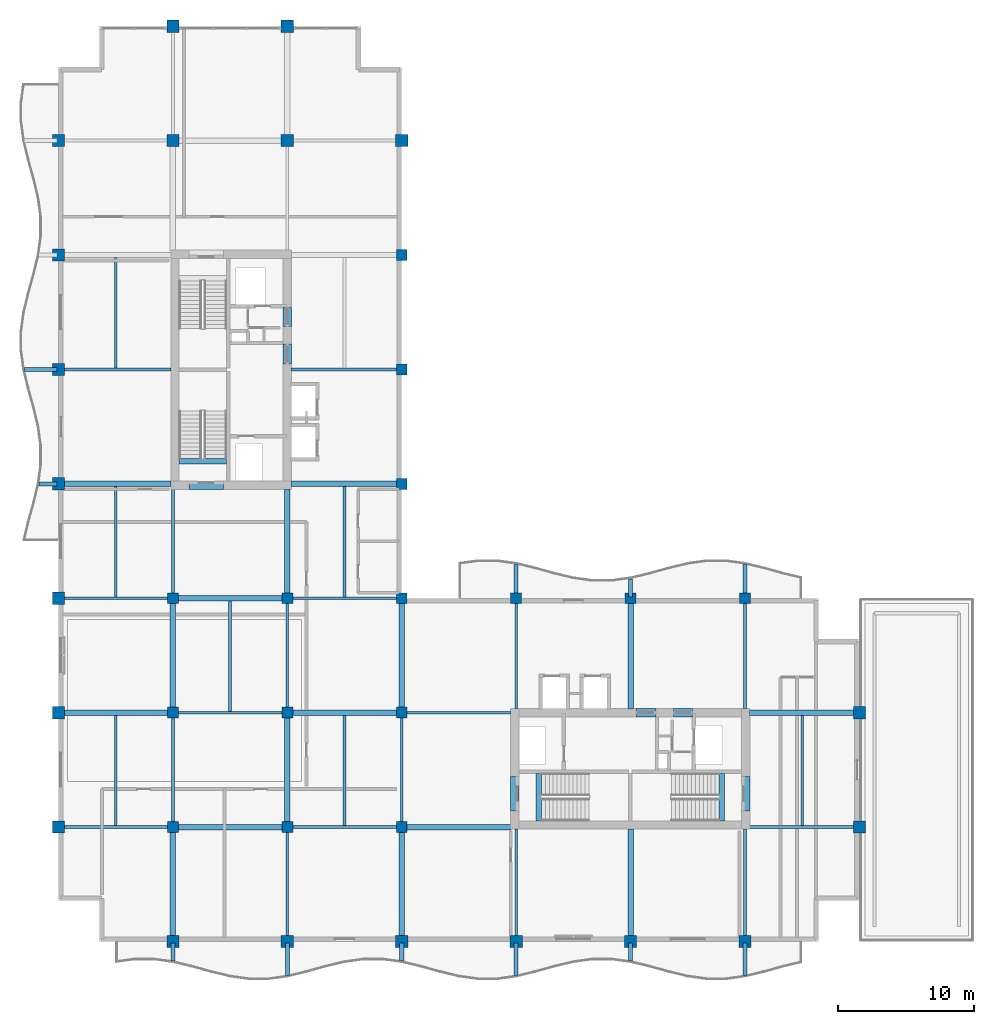
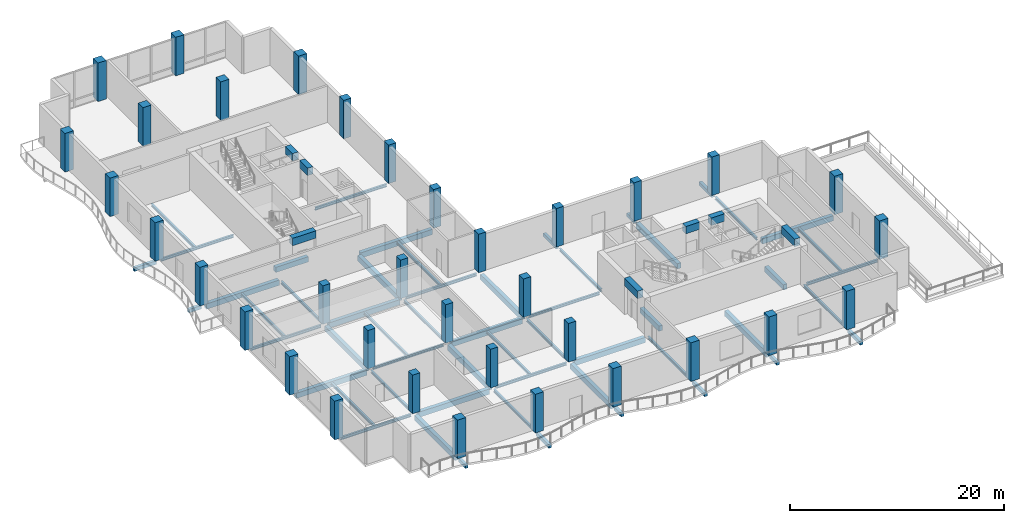
# One storey, part 1 of 16: 62 beams, 35 columns.
"""IFC4 building model written with IfcOpenShell, lengths in metres."""

from ifc_helpers import new_model, si_unit, direction, frame, origin, origin_2d, place, context, subcontext, project, spatial, rectangle, i_section, extrude, material, material_profile, profile_set, type_object, element, save


model = new_model("IFC4")

# Units and contexts
model_context = context("Model", 3, precision=1e-05, world=origin(), true_north=direction((0.0, 1.0)))
body_context = subcontext(model_context, "Body", "Model", "MODEL_VIEW")
ifc_project = project(units=[si_unit("LENGTHUNIT", "METRE"), si_unit("AREAUNIT", "SQUARE_METRE"), si_unit("VOLUMEUNIT", "CUBIC_METRE"), si_unit("PLANEANGLEUNIT", "RADIAN"), si_unit("MASSUNIT", "GRAM", prefix="KILO")], contexts=[model_context])

# Site, building, storey
site_placement = place(None, origin())
site = spatial("IfcSite", under=ifc_project, at=site_placement, CompositionType="ELEMENT")
building_placement = place(site_placement, origin())
building = spatial("IfcBuilding", under=site, at=building_placement, Name="Koriwani Terraces Tower", CompositionType="ELEMENT")
storey_placement = place(building_placement, frame((0.0, 0.0, 286.0)))
storey = spatial("IfcBuildingStorey", under=building, at=storey_placement, Name="L71", CompositionType="ELEMENT", Elevation=286.0)

# Columns
ifc_material_1 = material(Name="Concrete C50/60", Category="concrete")
ifc_material_profile_1 = material_profile(ifc_material_1, rectangle(XDim=0.800048828125, YDim=0.800048828125, at=origin_2d()), Name="Concrete C50/60", Category="LoadBearing")
ifc_profile_set_1 = profile_set([ifc_material_profile_1], Name="Concrete C50/60")
column_type_1 = type_object("IfcColumnType", Name="COL_RC_800X800", PredefinedType="COLUMN", material=ifc_profile_set_1)
for number, where, z_axis, x_axis, name in (
    (1, (16.800048828125, 16.800048828125, 0.0), (0.0, 0.0, 1.0), (1.0, 0.0, 0.0), "L71 Column 3/C"),
    (2, (16.800048828125, 25.199951171875, 0.0), (0.0, 0.0, 1.0), (1.0, 0.0, 0.0), "L71 Column 3/D"),
    (3, (16.800048828125, 33.60009765625, 0.0), (0.0, 0.0, 1.0), (1.0, 0.0, 0.0), "L71 Column 3/E"),
    (4, (25.199951171875, 16.800048828125, 0.0), (0.0, 0.0, 1.0), (1.0, 0.0, 0.0), "L71 Column 4/C"),
    (5, (25.199951171875, 25.199951171875, 0.0), (0.0, 0.0, 1.0), (1.0, 0.0, 0.0), "L71 Column 4/D"),
    (6, (25.199951171875, 33.60009765625, 0.0), (0.0, 0.0, 1.0), (1.0, 0.0, 0.0), "L71 Column 4/E"),
    (7, (33.60009765625, 16.800048828125, 0.0), (0.0, 0.0, 1.0), (1.0, 0.0, 0.0), "L71 Column 5/C"),
    (8, (33.60009765625, 25.199951171875, 0.0), (0.0, 0.0, 1.0), (1.0, 0.0, 0.0), "L71 Column 5/D"),
    (9, (33.60009765625, 33.60009765625, 0.0), (0.0, 0.0, 1.0), (1.0, 0.0, 0.0), "L71 Column 5/E"),
    (10, (33.60009765625, 42.0, 0.0), (0.0, 0.0, 1.0), (1.0, 0.0, 0.0), "L71 Column 5/F"),
    (11, (33.60009765625, 50.39990234375, 0.0), (0.0, 0.0, 1.0), (1.0, 0.0, 0.0), "L71 Column 5/G"),
    (12, (33.60009765625, 58.800048828125, 0.0), (0.0, 0.0, 1.0), (1.0, 0.0, 0.0), "L71 Column 5/H"),
    (13, (42.0, 33.60009765625, 0.0), (0.0, 0.0, 1.0), (1.0, 0.0, 0.0), "L71 Column 6/E"),
    (14, (50.39990234375, 33.60009765625, 0.0), (0.0, 0.0, 1.0), (1.0, 0.0, 0.0), "L71 Column 7/E"),
    (15, (58.800048828125, 33.60009765625, 0.0), (0.0, 0.0, 1.0), (1.0, 0.0, 0.0), "L71 Column 8/E"),
):
    element("IfcColumn", number, at=place(storey_placement, frame(where, z_axis=z_axis, x_axis=x_axis)), inside=storey, type_object=column_type_1, Name=name, PredefinedType="COLUMN", context=body_context, shape_type="SweptSolid", body=[
        extrude(rectangle(XDim=0.800048828125, YDim=0.800048828125, at=origin_2d()), origin(), (0.0, 0.0, 1.0), 4.39990234375),
    ])
ifc_material_profile_2 = material_profile(ifc_material_1, rectangle(XDim=0.89990234375, YDim=0.89990234375, at=origin_2d()), Name="Concrete C50/60", Category="LoadBearing")
ifc_profile_set_2 = profile_set([ifc_material_profile_2], Name="Concrete C50/60")
column_type_2 = type_object("IfcColumnType", Name="COL_RC_900X900", PredefinedType="COLUMN", material=ifc_profile_set_2)
for number, where, z_axis, x_axis, name in (
    (16, (8.39990234375, 16.800048828125, 0.0), (0.0, 0.0, 1.0), (1.0, 0.0, 0.0), "L71 Column 2/C"),
    (17, (8.39990234375, 25.199951171875, 0.0), (0.0, 0.0, 1.0), (1.0, 0.0, 0.0), "L71 Column 2/D"),
    (18, (8.39990234375, 33.60009765625, 0.0), (0.0, 0.0, 1.0), (1.0, 0.0, 0.0), "L71 Column 2/E"),
    (19, (8.39990234375, 42.0, 0.0), (0.0, 0.0, 1.0), (1.0, 0.0, 0.0), "L71 Column 2/F"),
    (20, (8.39990234375, 50.39990234375, 0.0), (0.0, 0.0, 1.0), (1.0, 0.0, 0.0), "L71 Column 2/G"),
    (21, (8.39990234375, 58.800048828125, 0.0), (0.0, 0.0, 1.0), (1.0, 0.0, 0.0), "L71 Column 2/H"),
    (22, (8.39990234375, 67.199951171875, 0.0), (0.0, 0.0, 1.0), (1.0, 0.0, 0.0), "L71 Column 2/I"),
    (23, (16.800048828125, 8.39990234375, 0.0), (0.0, 0.0, 1.0), (1.0, 0.0, 0.0), "L71 Column 3/B"),
    (24, (16.800048828125, 67.199951171875, 0.0), (0.0, 0.0, 1.0), (1.0, 0.0, 0.0), "L71 Column 3/I"),
    (25, (16.800048828125, 75.60009765625, 0.0), (0.0, 0.0, 1.0), (1.0, 0.0, 0.0), "L71 Column 3/J"),
    (26, (25.199951171875, 8.39990234375, 0.0), (0.0, 0.0, 1.0), (1.0, 0.0, 0.0), "L71 Column 4/B"),
    (27, (25.199951171875, 67.199951171875, 0.0), (0.0, 0.0, 1.0), (1.0, 0.0, 0.0), "L71 Column 4/I"),
    (28, (25.199951171875, 75.60009765625, 0.0), (0.0, 0.0, 1.0), (1.0, 0.0, 0.0), "L71 Column 4/J"),
    (29, (33.60009765625, 8.39990234375, 0.0), (0.0, 0.0, 1.0), (1.0, 0.0, 0.0), "L71 Column 5/B"),
    (30, (33.60009765625, 67.199951171875, 0.0), (0.0, 0.0, 1.0), (1.0, 0.0, 0.0), "L71 Column 5/I"),
    (31, (42.0, 8.39990234375, 0.0), (0.0, 0.0, 1.0), (1.0, 0.0, 0.0), "L71 Column 6/B"),
    (32, (50.39990234375, 8.39990234375, 0.0), (0.0, 0.0, 1.0), (1.0, 0.0, 0.0), "L71 Column 7/B"),
    (33, (58.800048828125, 8.39990234375, 0.0), (0.0, 0.0, 1.0), (1.0, 0.0, 0.0), "L71 Column 8/B"),
    (34, (67.199951171875, 16.800048828125, 0.0), (0.0, 0.0, 1.0), (1.0, 0.0, 0.0), "L71 Column 9/C"),
    (35, (67.199951171875, 25.199951171875, 0.0), (0.0, 0.0, 1.0), (1.0, 0.0, 0.0), "L71 Column 9/D"),
):
    element("IfcColumn", number, at=place(storey_placement, frame(where, z_axis=z_axis, x_axis=x_axis)), inside=storey, type_object=column_type_2, Name=name, PredefinedType="COLUMN", context=body_context, shape_type="SweptSolid", body=[
        extrude(rectangle(XDim=0.89990234375, YDim=0.89990234375, at=origin_2d()), origin(), (0.0, 0.0, 1.0), 4.39990234375),
    ])

# Beams
ifc_material_2 = material(Name="Concrete C40/50", Category="concrete")
ifc_material_profile_3 = material_profile(ifc_material_2, rectangle(XDim=0.300048828125, YDim=0.39990234375, at=origin_2d()), Name="Concrete C40/50", Category="LoadBearing")
ifc_profile_set_3 = profile_set([ifc_material_profile_3], Name="Concrete C40/50")
beam_type_1 = type_object("IfcBeamType", Name="BEAM_RC_BALCONY_RIB_300X400", PredefinedType="JOIST", material=ifc_profile_set_3)
beam_1_placement = place(storey_placement, frame((16.800048828125, 6.980224609375, -0.429931640625), z_axis=(0.0, 1.0, 0.0), x_axis=(-1.0, 0.0, 0.0)))
element("IfcBeam", 36, at=beam_1_placement, inside=storey, type_object=beam_type_1, Name="L71 Balcony Bracket Rib S-1", PredefinedType="JOIST", context=body_context, shape_type="SweptSolid", body=[
    extrude(rectangle(XDim=0.300048828125, YDim=0.39990234375, at=origin_2d()), origin(), (0.0, 0.0, 1.0), 1.31982421875),
])
beam_2_placement = place(storey_placement, frame((25.199951171875, 5.919677734375, -0.429931640625), z_axis=(0.0, 1.0, 0.0), x_axis=(-1.0, 0.0, 0.0)))
element("IfcBeam", 37, at=beam_2_placement, inside=storey, type_object=beam_type_1, Name="L71 Balcony Bracket Rib S-2", PredefinedType="JOIST", context=body_context, shape_type="SweptSolid", body=[
    extrude(rectangle(XDim=0.300048828125, YDim=0.39990234375, at=origin_2d()), origin(), (0.0, 0.0, 1.0), 2.38037109375),
])
beam_3_placement = place(storey_placement, frame((33.60009765625, 6.980224609375, -0.429931640625), z_axis=(0.0, 1.0, 0.0), x_axis=(-1.0, 0.0, 0.0)))
element("IfcBeam", 38, at=beam_3_placement, inside=storey, type_object=beam_type_1, Name="L71 Balcony Bracket Rib S-3", PredefinedType="JOIST", context=body_context, shape_type="SweptSolid", body=[
    extrude(rectangle(XDim=0.300048828125, YDim=0.39990234375, at=origin_2d()), origin(), (0.0, 0.0, 1.0), 1.31982421875),
])
beam_4_placement = place(storey_placement, frame((42.0, 5.919677734375, -0.429931640625), z_axis=(0.0, 1.0, 0.0), x_axis=(-1.0, 0.0, 0.0)))
element("IfcBeam", 39, at=beam_4_placement, inside=storey, type_object=beam_type_1, Name="L71 Balcony Bracket Rib S-4", PredefinedType="JOIST", context=body_context, shape_type="SweptSolid", body=[
    extrude(rectangle(XDim=0.300048828125, YDim=0.39990234375, at=origin_2d()), origin(), (0.0, 0.0, 1.0), 2.38037109375),
])
beam_5_placement = place(storey_placement, frame((50.39990234375, 6.980224609375, -0.429931640625), z_axis=(0.0, 1.0, 0.0), x_axis=(-1.0, 0.0, 0.0)))
element("IfcBeam", 40, at=beam_5_placement, inside=storey, type_object=beam_type_1, Name="L71 Balcony Bracket Rib S-5", PredefinedType="JOIST", context=body_context, shape_type="SweptSolid", body=[
    extrude(rectangle(XDim=0.300048828125, YDim=0.39990234375, at=origin_2d()), origin(), (0.0, 0.0, 1.0), 1.31982421875),
])
beam_6_placement = place(storey_placement, frame((58.800048828125, 5.919677734375, -0.429931640625), z_axis=(0.0, 1.0, 0.0), x_axis=(-1.0, 0.0, 0.0)))
element("IfcBeam", 41, at=beam_6_placement, inside=storey, type_object=beam_type_1, Name="L71 Balcony Bracket Rib S-6", PredefinedType="JOIST", context=body_context, shape_type="SweptSolid", body=[
    extrude(rectangle(XDim=0.300048828125, YDim=0.39990234375, at=origin_2d()), origin(), (0.0, 0.0, 1.0), 2.38037109375),
])
beam_7_placement = place(storey_placement, frame((6.980224609375, 42.0, -0.429931640625), z_axis=(1.0, 0.0, 0.0), x_axis=(0.0, 1.0, 0.0)))
element("IfcBeam", 42, at=beam_7_placement, inside=storey, type_object=beam_type_1, Name="L71 Balcony Bracket Rib W-1", PredefinedType="JOIST", context=body_context, shape_type="SweptSolid", body=[
    extrude(rectangle(XDim=0.300048828125, YDim=0.39990234375, at=origin_2d()), origin(), (0.0, 0.0, 1.0), 1.31982421875),
])
for number, where, z_axis, x_axis, name in (
    (43, (5.919677734375, 50.39990234375, -0.429931640625), (1.0, 0.0, 0.0), (0.0, 1.0, 0.0), "L71 Balcony Bracket Rib W-2"),
    (44, (42.0, 33.699951171875, -0.429931640625), (0.0, 1.0, 0.0), (-1.0, 0.0, 0.0), "L71 Balcony Bracket Rib NE-1"),
):
    element("IfcBeam", number, at=place(storey_placement, frame(where, z_axis=z_axis, x_axis=x_axis)), inside=storey, type_object=beam_type_1, Name=name, PredefinedType="JOIST", context=body_context, shape_type="SweptSolid", body=[
        extrude(rectangle(XDim=0.300048828125, YDim=0.39990234375, at=origin_2d()), origin(), (0.0, 0.0, 1.0), 2.38037109375),
    ])
beam_8_placement = place(storey_placement, frame((50.39990234375, 33.699951171875, -0.429931640625), z_axis=(0.0, 1.0, 0.0), x_axis=(-1.0, 0.0, 0.0)))
element("IfcBeam", 45, at=beam_8_placement, inside=storey, type_object=beam_type_1, Name="L71 Balcony Bracket Rib NE-2", PredefinedType="JOIST", context=body_context, shape_type="SweptSolid", body=[
    extrude(rectangle(XDim=0.300048828125, YDim=0.39990234375, at=origin_2d()), origin(), (0.0, 0.0, 1.0), 1.31982421875),
])
beam_9_placement = place(storey_placement, frame((58.800048828125, 33.699951171875, -0.429931640625), z_axis=(0.0, 1.0, 0.0), x_axis=(-1.0, 0.0, 0.0)))
element("IfcBeam", 46, at=beam_9_placement, inside=storey, type_object=beam_type_1, Name="L71 Balcony Bracket Rib NE-3", PredefinedType="JOIST", context=body_context, shape_type="SweptSolid", body=[
    extrude(rectangle(XDim=0.300048828125, YDim=0.39990234375, at=origin_2d()), origin(), (0.0, 0.0, 1.0), 2.38037109375),
])
ifc_material_profile_4 = material_profile(ifc_material_1, rectangle(XDim=0.60009765625, YDim=0.85009765625, at=origin_2d()), Name="Concrete C50/60", Category="LoadBearing")
ifc_profile_set_4 = profile_set([ifc_material_profile_4], Name="Concrete C50/60")
beam_type_2 = type_object("IfcBeamType", Name="BEAM_RC_COUPLING_600X850", PredefinedType="LINTEL", material=ifc_profile_set_4)
beam_10_placement = place(storey_placement, frame((25.199951171875, 50.800048828125, 3.7451171875), z_axis=(0.0, 1.0, 0.0), x_axis=(-1.0, 0.0, 0.0)))
element("IfcBeam", 47, at=beam_10_placement, inside=storey, type_object=beam_type_2, Name="L71 Core Coupling Lintel Beam WE1", PredefinedType="LINTEL", context=body_context, shape_type="SweptSolid", body=[
    extrude(rectangle(XDim=0.60009765625, YDim=0.85009765625, at=origin_2d()), origin(), (0.0, 0.0, 1.0), 1.47998046875),
])
beam_11_placement = place(storey_placement, frame((25.199951171875, 53.550048828125, 3.7451171875), z_axis=(0.0, 1.0, 0.0), x_axis=(-1.0, 0.0, 0.0)))
element("IfcBeam", 48, at=beam_11_placement, inside=storey, type_object=beam_type_2, Name="L71 Core Coupling Lintel Beam WE2", PredefinedType="LINTEL", context=body_context, shape_type="SweptSolid", body=[
    extrude(rectangle(XDim=0.60009765625, YDim=0.85009765625, at=origin_2d()), origin(), (0.0, 0.0, 1.0), 1.39990234375),
])
beam_12_placement = place(storey_placement, frame((18.0, 41.89990234375, 3.7451171875), z_axis=(1.0, 0.0, 0.0), x_axis=(0.0, 1.0, 0.0)))
element("IfcBeam", 49, at=beam_12_placement, inside=storey, type_object=beam_type_2, Name="L71 Core Coupling Lintel Beam WS", PredefinedType="LINTEL", context=body_context, shape_type="SweptSolid", body=[
    extrude(rectangle(XDim=0.60009765625, YDim=0.85009765625, at=origin_2d()), origin(), (0.0, 0.0, 1.0), 2.5),
])
beam_13_placement = place(storey_placement, frame((50.800048828125, 25.199951171875, 3.7451171875), z_axis=(1.0, 0.0, 0.0), x_axis=(0.0, 1.0, 0.0)))
element("IfcBeam", 50, at=beam_13_placement, inside=storey, type_object=beam_type_2, Name="L71 Core Coupling Lintel Beam EN1", PredefinedType="LINTEL", context=body_context, shape_type="SweptSolid", body=[
    extrude(rectangle(XDim=0.60009765625, YDim=0.85009765625, at=origin_2d()), origin(), (0.0, 0.0, 1.0), 1.47998046875),
])
beam_14_placement = place(storey_placement, frame((53.550048828125, 25.199951171875, 3.7451171875), z_axis=(1.0, 0.0, 0.0), x_axis=(0.0, 1.0, 0.0)))
element("IfcBeam", 51, at=beam_14_placement, inside=storey, type_object=beam_type_2, Name="L71 Core Coupling Lintel Beam EN2", PredefinedType="LINTEL", context=body_context, shape_type="SweptSolid", body=[
    extrude(rectangle(XDim=0.60009765625, YDim=0.85009765625, at=origin_2d()), origin(), (0.0, 0.0, 1.0), 1.39990234375),
])
for number, where, z_axis, x_axis, name in (
    (52, (41.89990234375, 18.0, 3.7451171875), (0.0, 1.0, 0.0), (-1.0, 0.0, 0.0), "L71 Core Coupling Lintel Beam EW"),
    (53, (58.85009765625, 18.0, 3.7451171875), (0.0, 1.0, 0.0), (-1.0, 0.0, 0.0), "L71 Core Coupling Lintel Beam EE"),
):
    element("IfcBeam", number, at=place(storey_placement, frame(where, z_axis=z_axis, x_axis=x_axis)), inside=storey, type_object=beam_type_2, Name=name, PredefinedType="LINTEL", context=body_context, shape_type="SweptSolid", body=[
        extrude(rectangle(XDim=0.60009765625, YDim=0.85009765625, at=origin_2d()), origin(), (0.0, 0.0, 1.0), 2.5),
    ])
ifc_material_profile_5 = material_profile(ifc_material_2, rectangle(XDim=0.39990234375, YDim=0.60009765625, at=origin_2d()), Name="Concrete C40/50", Category="LoadBearing")
ifc_profile_set_5 = profile_set([ifc_material_profile_5], Name="Concrete C40/50")
beam_type_3 = type_object("IfcBeamType", Name="BEAM_RC_GRID_400X600", PredefinedType="BEAM", material=ifc_profile_set_5)
for number, where, z_axis, x_axis, name in (
    (54, (17.25, 43.655029296875, -0.300048828125), (1.0, 0.0, 0.0), (0.0, 1.0, 0.0), "L71 Stairwell Header Trimmer Beam ST-W1"),
    (55, (43.655029296875, 17.25, -0.300048828125), (0.0, 1.0, 0.0), (-1.0, 0.0, 0.0), "L71 Stairwell Header Trimmer Beam ST-E1"),
    (56, (57.094970703125, 17.25, -0.300048828125), (0.0, 1.0, 0.0), (-1.0, 0.0, 0.0), "L71 Stairwell Header Trimmer Beam ST-E2"),
):
    element("IfcBeam", number, at=place(storey_placement, frame(where, z_axis=z_axis, x_axis=x_axis)), inside=storey, type_object=beam_type_3, Name=name, PredefinedType="BEAM", context=body_context, shape_type="SweptSolid", body=[
        extrude(rectangle(XDim=0.39990234375, YDim=0.60009765625, at=origin_2d()), origin(), (0.0, 0.0, 1.0), 3.5),
    ])
for number, where, z_axis, x_axis, name in (
    (57, (17.179931640625, 16.800048828125, -0.530029296875), (1.0, 0.0, 0.0), (0.0, 1.0, 0.0), "L71 Grid Beam C (16.8-25.2m)"),
    (58, (33.97998046875, 16.800048828125, -0.530029296875), (1.0, 0.0, 0.0), (0.0, 1.0, 0.0), "L71 Grid Beam C (33.6-42.0m)"),
):
    element("IfcBeam", number, at=place(storey_placement, frame(where, z_axis=z_axis, x_axis=x_axis)), inside=storey, type_object=beam_type_3, Name=name, PredefinedType="BEAM", context=body_context, shape_type="SweptSolid", body=[
        extrude(rectangle(XDim=0.39990234375, YDim=0.60009765625, at=origin_2d()), origin(), (0.0, 0.0, 1.0), 7.64013671875),
    ])
beam_15_placement = place(storey_placement, frame((8.830078125, 25.199951171875, -0.530029296875), z_axis=(1.0, 0.0, 0.0), x_axis=(0.0, 1.0, 0.0)))
element("IfcBeam", 59, at=beam_15_placement, inside=storey, type_object=beam_type_3, Name="L71 Grid Beam D (8.4-16.8m)", PredefinedType="BEAM", context=body_context, shape_type="SweptSolid", body=[
    extrude(rectangle(XDim=0.39990234375, YDim=0.60009765625, at=origin_2d()), origin(), (0.0, 0.0, 1.0), 7.58984375),
])
beam_16_placement = place(storey_placement, frame((25.580078125, 25.199951171875, -0.530029296875), z_axis=(1.0, 0.0, 0.0), x_axis=(0.0, 1.0, 0.0)))
element("IfcBeam", 60, at=beam_16_placement, inside=storey, type_object=beam_type_3, Name="L71 Grid Beam D (25.2-33.6m)", PredefinedType="BEAM", context=body_context, shape_type="SweptSolid", body=[
    extrude(rectangle(XDim=0.39990234375, YDim=0.60009765625, at=origin_2d()), origin(), (0.0, 0.0, 1.0), 7.639892578125),
])
for number, where, z_axis, x_axis, name in (
    (61, (59.1298828125, 25.199951171875, -0.530029296875), (1.0, 0.0, 0.0), (0.0, 1.0, 0.0), "L71 Grid Beam D (58.8-67.2m)"),
    (62, (17.179931640625, 33.60009765625, -0.530029296875), (1.0, 0.0, 0.0), (0.0, 1.0, 0.0), "L71 Grid Beam E (16.8-25.2m)"),
):
    element("IfcBeam", number, at=place(storey_placement, frame(where, z_axis=z_axis, x_axis=x_axis)), inside=storey, type_object=beam_type_3, Name=name, PredefinedType="BEAM", context=body_context, shape_type="SweptSolid", body=[
        extrude(rectangle(XDim=0.39990234375, YDim=0.60009765625, at=origin_2d()), origin(), (0.0, 0.0, 1.0), 7.64013671875),
    ])
beam_17_placement = place(storey_placement, frame((8.830078125, 42.0, -0.530029296875), z_axis=(1.0, 0.0, 0.0), x_axis=(0.0, 1.0, 0.0)))
element("IfcBeam", 63, at=beam_17_placement, inside=storey, type_object=beam_type_3, Name="L71 Grid Beam F (8.4-16.8m)", PredefinedType="BEAM", context=body_context, shape_type="SweptSolid", body=[
    extrude(rectangle(XDim=0.39990234375, YDim=0.60009765625, at=origin_2d()), origin(), (0.0, 0.0, 1.0), 7.83984375),
])
beam_18_placement = place(storey_placement, frame((25.47998046875, 42.0, -0.530029296875), z_axis=(1.0, 0.0, 0.0), x_axis=(0.0, 1.0, 0.0)))
element("IfcBeam", 64, at=beam_18_placement, inside=storey, type_object=beam_type_3, Name="L71 Grid Beam F (25.2-33.6m)", PredefinedType="BEAM", context=body_context, shape_type="SweptSolid", body=[
    extrude(rectangle(XDim=0.39990234375, YDim=0.60009765625, at=origin_2d()), origin(), (0.0, 0.0, 1.0), 7.739990234375),
])
beam_19_placement = place(storey_placement, frame((16.800048828125, 8.830078125, -0.530029296875), z_axis=(0.0, 1.0, 0.0), x_axis=(-1.0, 0.0, 0.0)))
element("IfcBeam", 65, at=beam_19_placement, inside=storey, type_object=beam_type_3, Name="L71 Grid Beam 3 (8.4-16.8m)", PredefinedType="BEAM", context=body_context, shape_type="SweptSolid", body=[
    extrude(rectangle(XDim=0.39990234375, YDim=0.60009765625, at=origin_2d()), origin(), (0.0, 0.0, 1.0), 7.58984375),
])
beam_20_placement = place(storey_placement, frame((16.800048828125, 25.580078125, -0.530029296875), z_axis=(0.0, 1.0, 0.0), x_axis=(-1.0, 0.0, 0.0)))
element("IfcBeam", 66, at=beam_20_placement, inside=storey, type_object=beam_type_3, Name="L71 Grid Beam 3 (25.2-33.6m)", PredefinedType="BEAM", context=body_context, shape_type="SweptSolid", body=[
    extrude(rectangle(XDim=0.39990234375, YDim=0.60009765625, at=origin_2d()), origin(), (0.0, 0.0, 1.0), 7.639892578125),
])
for number, where, z_axis, x_axis, name in (
    (67, (25.199951171875, 17.179931640625, -0.530029296875), (0.0, 1.0, 0.0), (-1.0, 0.0, 0.0), "L71 Grid Beam 4 (16.8-25.2m)"),
    (68, (25.199951171875, 33.97998046875, -0.530029296875), (0.0, 1.0, 0.0), (-1.0, 0.0, 0.0), "L71 Grid Beam 4 (33.6-42.0m)"),
):
    element("IfcBeam", number, at=place(storey_placement, frame(where, z_axis=z_axis, x_axis=x_axis)), inside=storey, type_object=beam_type_3, Name=name, PredefinedType="BEAM", context=body_context, shape_type="SweptSolid", body=[
        extrude(rectangle(XDim=0.39990234375, YDim=0.60009765625, at=origin_2d()), origin(), (0.0, 0.0, 1.0), 7.64013671875),
    ])
beam_21_placement = place(storey_placement, frame((33.60009765625, 8.830078125, -0.530029296875), z_axis=(0.0, 1.0, 0.0), x_axis=(-1.0, 0.0, 0.0)))
element("IfcBeam", 69, at=beam_21_placement, inside=storey, type_object=beam_type_3, Name="L71 Grid Beam 5 (8.4-16.8m)", PredefinedType="BEAM", context=body_context, shape_type="SweptSolid", body=[
    extrude(rectangle(XDim=0.39990234375, YDim=0.60009765625, at=origin_2d()), origin(), (0.0, 0.0, 1.0), 7.58984375),
])
beam_22_placement = place(storey_placement, frame((33.60009765625, 25.580078125, -0.530029296875), z_axis=(0.0, 1.0, 0.0), x_axis=(-1.0, 0.0, 0.0)))
element("IfcBeam", 70, at=beam_22_placement, inside=storey, type_object=beam_type_3, Name="L71 Grid Beam 5 (25.2-33.6m)", PredefinedType="BEAM", context=body_context, shape_type="SweptSolid", body=[
    extrude(rectangle(XDim=0.39990234375, YDim=0.60009765625, at=origin_2d()), origin(), (0.0, 0.0, 1.0), 7.639892578125),
])
beam_23_placement = place(storey_placement, frame((50.39990234375, 8.830078125, -0.530029296875), z_axis=(0.0, 1.0, 0.0), x_axis=(-1.0, 0.0, 0.0)))
element("IfcBeam", 71, at=beam_23_placement, inside=storey, type_object=beam_type_3, Name="L71 Grid Beam 7 (8.4-16.8m)", PredefinedType="BEAM", context=body_context, shape_type="SweptSolid", body=[
    extrude(rectangle(XDim=0.39990234375, YDim=0.60009765625, at=origin_2d()), origin(), (0.0, 0.0, 1.0), 7.83984375),
])
beam_24_placement = place(storey_placement, frame((50.39990234375, 25.47998046875, -0.530029296875), z_axis=(0.0, 1.0, 0.0), x_axis=(-1.0, 0.0, 0.0)))
element("IfcBeam", 72, at=beam_24_placement, inside=storey, type_object=beam_type_3, Name="L71 Grid Beam 7 (25.2-33.6m)", PredefinedType="BEAM", context=body_context, shape_type="SweptSolid", body=[
    extrude(rectangle(XDim=0.39990234375, YDim=0.60009765625, at=origin_2d()), origin(), (0.0, 0.0, 1.0), 7.739990234375),
])
ifc_material_3 = material(Name="Steel ASTM A572 Grade 50", Category="steel")
ifc_material_profile_6 = material_profile(ifc_material_3, i_section(OverallWidth=0.205078125, OverallDepth=0.31005859375, WebThickness=0.009521484375, FlangeThickness=0.016357421875, at=origin_2d()), Name="Steel ASTM A572 Grade 50", Category="LoadBearing")
ifc_profile_set_6 = profile_set([ifc_material_profile_6], Name="Steel ASTM A572 Grade 50")
beam_type_4 = type_object("IfcBeamType", Name="STEEL_BEAM_W310X74", PredefinedType="JOIST", material=ifc_profile_set_6)
beam_25_placement = place(storey_placement, frame((8.830078125, 16.800048828125, -0.385009765625), z_axis=(1.0, 0.0, 0.0), x_axis=(0.0, 1.0, 0.0)))
element("IfcBeam", 73, at=beam_25_placement, inside=storey, type_object=beam_type_4, Name="L71 Grid Beam C (8.4-16.8m)", PredefinedType="JOIST", context=body_context, shape_type="SweptSolid", body=[
    extrude(i_section(OverallWidth=0.205078125, OverallDepth=0.31005859375, WebThickness=0.009521484375, FlangeThickness=0.016357421875, at=origin_2d()), origin(), (0.0, 0.0, 1.0), 7.58984375),
])
beam_26_placement = place(storey_placement, frame((25.580078125, 16.800048828125, -0.385009765625), z_axis=(1.0, 0.0, 0.0), x_axis=(0.0, 1.0, 0.0)))
element("IfcBeam", 74, at=beam_26_placement, inside=storey, type_object=beam_type_4, Name="L71 Grid Beam C (25.2-33.6m)", PredefinedType="JOIST", context=body_context, shape_type="SweptSolid", body=[
    extrude(i_section(OverallWidth=0.205078125, OverallDepth=0.31005859375, WebThickness=0.009521484375, FlangeThickness=0.016357421875, at=origin_2d()), origin(), (0.0, 0.0, 1.0), 7.639892578125),
])
for number, where, z_axis, x_axis, name in (
    (75, (59.1298828125, 16.800048828125, -0.385009765625), (1.0, 0.0, 0.0), (0.0, 1.0, 0.0), "L71 Grid Beam C (58.8-67.2m)"),
    (76, (17.179931640625, 25.199951171875, -0.385009765625), (1.0, 0.0, 0.0), (0.0, 1.0, 0.0), "L71 Grid Beam D (16.8-25.2m)"),
    (77, (33.97998046875, 25.199951171875, -0.385009765625), (1.0, 0.0, 0.0), (0.0, 1.0, 0.0), "L71 Grid Beam D (33.6-42.0m)"),
):
    element("IfcBeam", number, at=place(storey_placement, frame(where, z_axis=z_axis, x_axis=x_axis)), inside=storey, type_object=beam_type_4, Name=name, PredefinedType="JOIST", context=body_context, shape_type="SweptSolid", body=[
        extrude(i_section(OverallWidth=0.205078125, OverallDepth=0.31005859375, WebThickness=0.009521484375, FlangeThickness=0.016357421875, at=origin_2d()), origin(), (0.0, 0.0, 1.0), 7.64013671875),
    ])
beam_27_placement = place(storey_placement, frame((8.830078125, 33.60009765625, -0.385009765625), z_axis=(1.0, 0.0, 0.0), x_axis=(0.0, 1.0, 0.0)))
element("IfcBeam", 78, at=beam_27_placement, inside=storey, type_object=beam_type_4, Name="L71 Grid Beam E (8.4-16.8m)", PredefinedType="JOIST", context=body_context, shape_type="SweptSolid", body=[
    extrude(i_section(OverallWidth=0.205078125, OverallDepth=0.31005859375, WebThickness=0.009521484375, FlangeThickness=0.016357421875, at=origin_2d()), origin(), (0.0, 0.0, 1.0), 7.58984375),
])
beam_28_placement = place(storey_placement, frame((25.580078125, 33.60009765625, -0.385009765625), z_axis=(1.0, 0.0, 0.0), x_axis=(0.0, 1.0, 0.0)))
element("IfcBeam", 79, at=beam_28_placement, inside=storey, type_object=beam_type_4, Name="L71 Grid Beam E (25.2-33.6m)", PredefinedType="JOIST", context=body_context, shape_type="SweptSolid", body=[
    extrude(i_section(OverallWidth=0.205078125, OverallDepth=0.31005859375, WebThickness=0.009521484375, FlangeThickness=0.016357421875, at=origin_2d()), origin(), (0.0, 0.0, 1.0), 7.639892578125),
])
beam_29_placement = place(storey_placement, frame((8.830078125, 50.39990234375, -0.385009765625), z_axis=(1.0, 0.0, 0.0), x_axis=(0.0, 1.0, 0.0)))
element("IfcBeam", 80, at=beam_29_placement, inside=storey, type_object=beam_type_4, Name="L71 Grid Beam G (8.4-16.8m)", PredefinedType="JOIST", context=body_context, shape_type="SweptSolid", body=[
    extrude(i_section(OverallWidth=0.205078125, OverallDepth=0.31005859375, WebThickness=0.009521484375, FlangeThickness=0.016357421875, at=origin_2d()), origin(), (0.0, 0.0, 1.0), 7.83984375),
])
beam_30_placement = place(storey_placement, frame((25.47998046875, 50.39990234375, -0.385009765625), z_axis=(1.0, 0.0, 0.0), x_axis=(0.0, 1.0, 0.0)))
element("IfcBeam", 81, at=beam_30_placement, inside=storey, type_object=beam_type_4, Name="L71 Grid Beam G (25.2-33.6m)", PredefinedType="JOIST", context=body_context, shape_type="SweptSolid", body=[
    extrude(i_section(OverallWidth=0.205078125, OverallDepth=0.31005859375, WebThickness=0.009521484375, FlangeThickness=0.016357421875, at=origin_2d()), origin(), (0.0, 0.0, 1.0), 7.739990234375),
])
for number, where, z_axis, x_axis, name in (
    (82, (16.800048828125, 17.179931640625, -0.385009765625), (0.0, 1.0, 0.0), (-1.0, 0.0, 0.0), "L71 Grid Beam 3 (16.8-25.2m)"),
    (83, (16.800048828125, 33.97998046875, -0.385009765625), (0.0, 1.0, 0.0), (-1.0, 0.0, 0.0), "L71 Grid Beam 3 (33.6-42.0m)"),
):
    element("IfcBeam", number, at=place(storey_placement, frame(where, z_axis=z_axis, x_axis=x_axis)), inside=storey, type_object=beam_type_4, Name=name, PredefinedType="JOIST", context=body_context, shape_type="SweptSolid", body=[
        extrude(i_section(OverallWidth=0.205078125, OverallDepth=0.31005859375, WebThickness=0.009521484375, FlangeThickness=0.016357421875, at=origin_2d()), origin(), (0.0, 0.0, 1.0), 7.64013671875),
    ])
beam_31_placement = place(storey_placement, frame((25.199951171875, 8.830078125, -0.385009765625), z_axis=(0.0, 1.0, 0.0), x_axis=(-1.0, 0.0, 0.0)))
element("IfcBeam", 84, at=beam_31_placement, inside=storey, type_object=beam_type_4, Name="L71 Grid Beam 4 (8.4-16.8m)", PredefinedType="JOIST", context=body_context, shape_type="SweptSolid", body=[
    extrude(i_section(OverallWidth=0.205078125, OverallDepth=0.31005859375, WebThickness=0.009521484375, FlangeThickness=0.016357421875, at=origin_2d()), origin(), (0.0, 0.0, 1.0), 7.58984375),
])
beam_32_placement = place(storey_placement, frame((25.199951171875, 25.580078125, -0.385009765625), z_axis=(0.0, 1.0, 0.0), x_axis=(-1.0, 0.0, 0.0)))
element("IfcBeam", 85, at=beam_32_placement, inside=storey, type_object=beam_type_4, Name="L71 Grid Beam 4 (25.2-33.6m)", PredefinedType="JOIST", context=body_context, shape_type="SweptSolid", body=[
    extrude(i_section(OverallWidth=0.205078125, OverallDepth=0.31005859375, WebThickness=0.009521484375, FlangeThickness=0.016357421875, at=origin_2d()), origin(), (0.0, 0.0, 1.0), 7.639892578125),
])
beam_33_placement = place(storey_placement, frame((33.60009765625, 17.179931640625, -0.385009765625), z_axis=(0.0, 1.0, 0.0), x_axis=(-1.0, 0.0, 0.0)))
element("IfcBeam", 86, at=beam_33_placement, inside=storey, type_object=beam_type_4, Name="L71 Grid Beam 5 (16.8-25.2m)", PredefinedType="JOIST", context=body_context, shape_type="SweptSolid", body=[
    extrude(i_section(OverallWidth=0.205078125, OverallDepth=0.31005859375, WebThickness=0.009521484375, FlangeThickness=0.016357421875, at=origin_2d()), origin(), (0.0, 0.0, 1.0), 7.64013671875),
])
beam_34_placement = place(storey_placement, frame((42.0, 8.830078125, -0.385009765625), z_axis=(0.0, 1.0, 0.0), x_axis=(-1.0, 0.0, 0.0)))
element("IfcBeam", 87, at=beam_34_placement, inside=storey, type_object=beam_type_4, Name="L71 Grid Beam 6 (8.4-16.8m)", PredefinedType="JOIST", context=body_context, shape_type="SweptSolid", body=[
    extrude(i_section(OverallWidth=0.205078125, OverallDepth=0.31005859375, WebThickness=0.009521484375, FlangeThickness=0.016357421875, at=origin_2d()), origin(), (0.0, 0.0, 1.0), 7.83984375),
])
beam_35_placement = place(storey_placement, frame((42.0, 25.47998046875, -0.385009765625), z_axis=(0.0, 1.0, 0.0), x_axis=(-1.0, 0.0, 0.0)))
element("IfcBeam", 88, at=beam_35_placement, inside=storey, type_object=beam_type_4, Name="L71 Grid Beam 6 (25.2-33.6m)", PredefinedType="JOIST", context=body_context, shape_type="SweptSolid", body=[
    extrude(i_section(OverallWidth=0.205078125, OverallDepth=0.31005859375, WebThickness=0.009521484375, FlangeThickness=0.016357421875, at=origin_2d()), origin(), (0.0, 0.0, 1.0), 7.739990234375),
])
beam_36_placement = place(storey_placement, frame((58.800048828125, 8.830078125, -0.385009765625), z_axis=(0.0, 1.0, 0.0), x_axis=(-1.0, 0.0, 0.0)))
element("IfcBeam", 89, at=beam_36_placement, inside=storey, type_object=beam_type_4, Name="L71 Grid Beam 8 (8.4-16.8m)", PredefinedType="JOIST", context=body_context, shape_type="SweptSolid", body=[
    extrude(i_section(OverallWidth=0.205078125, OverallDepth=0.31005859375, WebThickness=0.009521484375, FlangeThickness=0.016357421875, at=origin_2d()), origin(), (0.0, 0.0, 1.0), 7.83984375),
])
beam_37_placement = place(storey_placement, frame((58.800048828125, 25.47998046875, -0.385009765625), z_axis=(0.0, 1.0, 0.0), x_axis=(-1.0, 0.0, 0.0)))
element("IfcBeam", 90, at=beam_37_placement, inside=storey, type_object=beam_type_4, Name="L71 Grid Beam 8 (25.2-33.6m)", PredefinedType="JOIST", context=body_context, shape_type="SweptSolid", body=[
    extrude(i_section(OverallWidth=0.205078125, OverallDepth=0.31005859375, WebThickness=0.009521484375, FlangeThickness=0.016357421875, at=origin_2d()), origin(), (0.0, 0.0, 1.0), 7.739990234375),
])
beam_38_placement = place(storey_placement, frame((12.60009765625, 16.892578125, -0.385009765625), z_axis=(0.0, 1.0, 0.0), x_axis=(-1.0, 0.0, 0.0)))
element("IfcBeam", 91, at=beam_38_placement, inside=storey, type_object=beam_type_4, Name="L71 Secondary Steel Floor Joist X=12.6m", PredefinedType="JOIST", context=body_context, shape_type="SweptSolid", body=[
    extrude(i_section(OverallWidth=0.205078125, OverallDepth=0.31005859375, WebThickness=0.009521484375, FlangeThickness=0.016357421875, at=origin_2d()), origin(), (0.0, 0.0, 1.0), 8.117431640625),
])
for number, where, z_axis, x_axis, name in (
    (92, (12.60009765625, 33.6923828125, -0.385009765625), (0.0, 1.0, 0.0), (-1.0, 0.0, 0.0), "L71 Secondary Steel Floor Joist X=12.6m"),
    (93, (12.60009765625, 50.492431640625, -0.385009765625), (0.0, 1.0, 0.0), (-1.0, 0.0, 0.0), "L71 Secondary Steel Floor Joist X=12.6m"),
):
    element("IfcBeam", number, at=place(storey_placement, frame(where, z_axis=z_axis, x_axis=x_axis)), inside=storey, type_object=beam_type_4, Name=name, PredefinedType="JOIST", context=body_context, shape_type="SweptSolid", body=[
        extrude(i_section(OverallWidth=0.205078125, OverallDepth=0.31005859375, WebThickness=0.009521484375, FlangeThickness=0.016357421875, at=origin_2d()), origin(), (0.0, 0.0, 1.0), 8.11767578125),
    ])
for number, where, z_axis, x_axis, name in (
    (94, (21.0, 25.29248046875, -0.385009765625), (0.0, 1.0, 0.0), (-1.0, 0.0, 0.0), "L71 Secondary Steel Floor Joist X=21.0m"),
    (95, (29.39990234375, 16.892578125, -0.385009765625), (0.0, 1.0, 0.0), (-1.0, 0.0, 0.0), "L71 Secondary Steel Floor Joist X=29.4m"),
):
    element("IfcBeam", number, at=place(storey_placement, frame(where, z_axis=z_axis, x_axis=x_axis)), inside=storey, type_object=beam_type_4, Name=name, PredefinedType="JOIST", context=body_context, shape_type="SweptSolid", body=[
        extrude(i_section(OverallWidth=0.205078125, OverallDepth=0.31005859375, WebThickness=0.009521484375, FlangeThickness=0.016357421875, at=origin_2d()), origin(), (0.0, 0.0, 1.0), 8.117431640625),
    ])
beam_39_placement = place(storey_placement, frame((29.39990234375, 33.6923828125, -0.385009765625), z_axis=(0.0, 1.0, 0.0), x_axis=(-1.0, 0.0, 0.0)))
element("IfcBeam", 96, at=beam_39_placement, inside=storey, type_object=beam_type_4, Name="L71 Secondary Steel Floor Joist X=29.4m", PredefinedType="JOIST", context=body_context, shape_type="SweptSolid", body=[
    extrude(i_section(OverallWidth=0.205078125, OverallDepth=0.31005859375, WebThickness=0.009521484375, FlangeThickness=0.016357421875, at=origin_2d()), origin(), (0.0, 0.0, 1.0), 8.11767578125),
])
beam_40_placement = place(storey_placement, frame((63.0, 16.892578125, -0.385009765625), z_axis=(0.0, 1.0, 0.0), x_axis=(-1.0, 0.0, 0.0)))
element("IfcBeam", 97, at=beam_40_placement, inside=storey, type_object=beam_type_4, Name="L71 Secondary Steel Floor Joist X=63.0m", PredefinedType="JOIST", context=body_context, shape_type="SweptSolid", body=[
    extrude(i_section(OverallWidth=0.205078125, OverallDepth=0.31005859375, WebThickness=0.009521484375, FlangeThickness=0.016357421875, at=origin_2d()), origin(), (0.0, 0.0, 1.0), 8.117431640625),
])

save(model, "model.ifc")
